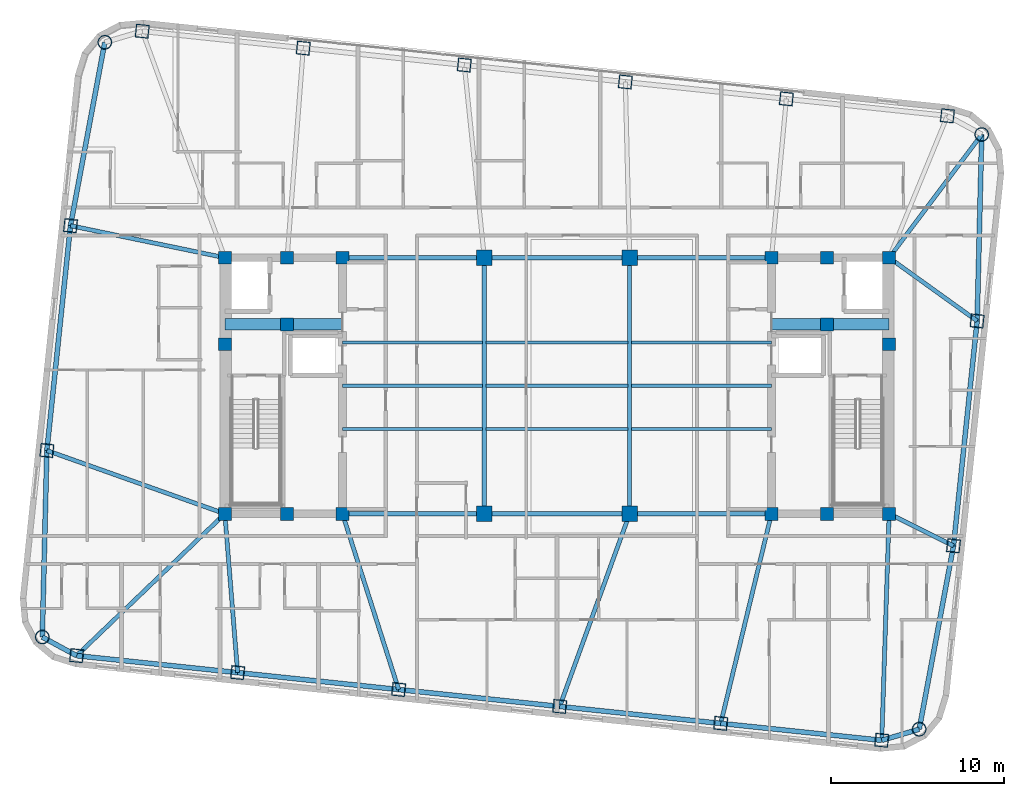
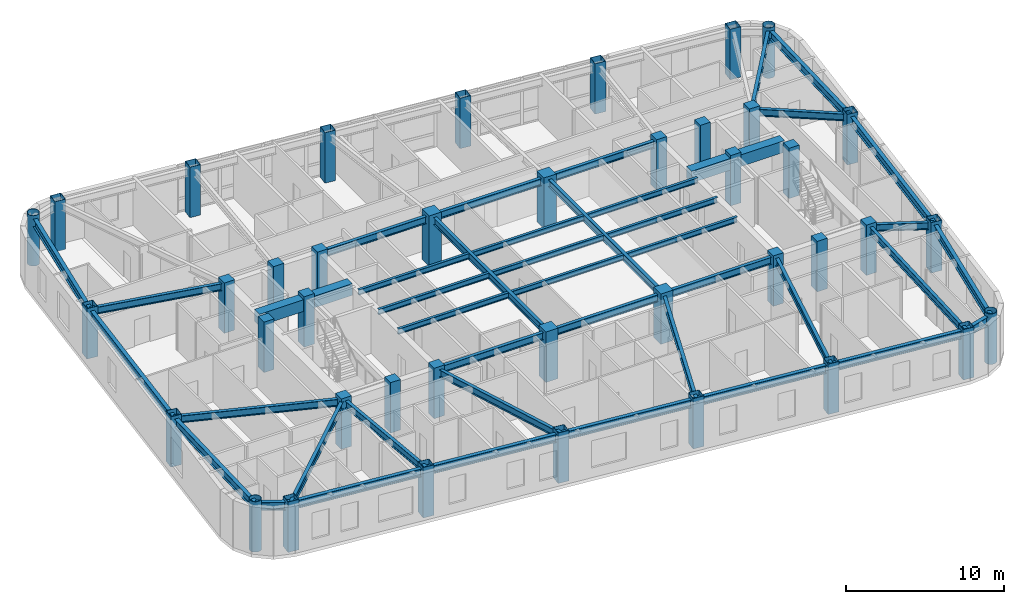
# One storey, part 1 of 16: 43 beams, 40 columns.
"""IFC4 building model written with IfcOpenShell, lengths in metres."""

from ifc_helpers import new_model, si_unit, direction, frame, origin, origin_2d, place, context, subcontext, project, spatial, rectangle, hollow_rectangle, hollow_circle, i_section, extrude, material, material_profile, profile_set, type_object, element, save


model = new_model("IFC4")

# Units and contexts
model_context = context("Model", 3, precision=1e-05, world=origin(), true_north=direction((0.0, 1.0)))
body_context = subcontext(model_context, "Body", "Model", "MODEL_VIEW")
ifc_project = project(units=[si_unit("LENGTHUNIT", "METRE"), si_unit("AREAUNIT", "SQUARE_METRE"), si_unit("VOLUMEUNIT", "CUBIC_METRE"), si_unit("PLANEANGLEUNIT", "RADIAN"), si_unit("MASSUNIT", "GRAM", prefix="KILO")], contexts=[model_context])

# Site, building, storey
site_placement = place(None, origin())
site = spatial("IfcSite", under=ifc_project, at=site_placement, CompositionType="ELEMENT")
building_placement = place(site_placement, origin())
building = spatial("IfcBuilding", under=site, at=building_placement, Name="Voryun Gate Residences", CompositionType="ELEMENT")
storey_placement = place(building_placement, frame((0.0, 0.0, 267.800048828125)))
storey = spatial("IfcBuildingStorey", under=building, at=storey_placement, Name="L66", CompositionType="ELEMENT", Elevation=267.800048828125)

# Columns
ifc_material_1 = material(Name="Concrete C50/60", Category="concrete")
ifc_material_profile_1 = material_profile(ifc_material_1, rectangle(XDim=0.75, YDim=0.75, at=origin_2d()), Name="RC-750x750")
ifc_profile_set_1 = profile_set([ifc_material_profile_1], Name="Concrete C50/60")
column_type_1 = type_object("IfcColumnType", Name="COL_CORE_750", PredefinedType="COLUMN", material=ifc_profile_set_1)
for number, where, z_axis, x_axis, name in (
    (1, (-19.199951171875, -7.39990234375, 0.0), (0.0, 0.0, 1.0), (1.0, 0.0, 0.0), "L66 Core boundary column WC-SW"),
    (2, (-19.199951171875, 2.39990234375, 0.0), (0.0, 0.0, 1.0), (1.0, 0.0, 0.0), "L66 Core boundary column WC-MW"),
    (3, (-19.199951171875, 7.39990234375, 0.0), (0.0, 0.0, 1.0), (1.0, 0.0, 0.0), "L66 Core boundary column WC-NW"),
    (4, (-15.60009765625, -7.39990234375, 0.0), (0.0, 0.0, 1.0), (1.0, 0.0, 0.0), "L66 Core boundary column WC-SM"),
    (5, (-15.60009765625, 7.39990234375, 0.0), (0.0, 0.0, 1.0), (1.0, 0.0, 0.0), "L66 Core boundary column WC-NM"),
    (6, (-12.39990234375, -7.39990234375, 0.0), (0.0, 0.0, 1.0), (1.0, 0.0, 0.0), "L66 Core boundary column WC-SE"),
    (7, (-15.60009765625, 3.550048828125, 0.0), (0.0, 0.0, 1.0), (1.0, 0.0, 0.0), "L66 Core boundary column WC-MM"),
    (8, (-12.39990234375, 7.39990234375, 0.0), (0.0, 0.0, 1.0), (1.0, 0.0, 0.0), "L66 Core boundary column WC-NE"),
    (9, (12.39990234375, -7.39990234375, 0.0), (0.0, 0.0, 1.0), (1.0, 0.0, 0.0), "L66 Core boundary column EC-SW"),
    (10, (15.60009765625, 3.550048828125, 0.0), (0.0, 0.0, 1.0), (1.0, 0.0, 0.0), "L66 Core boundary column EC-MM"),
    (11, (12.39990234375, 7.39990234375, 0.0), (0.0, 0.0, 1.0), (1.0, 0.0, 0.0), "L66 Core boundary column EC-NW"),
    (12, (15.60009765625, -7.39990234375, 0.0), (0.0, 0.0, 1.0), (1.0, 0.0, 0.0), "L66 Core boundary column EC-SM"),
    (13, (15.60009765625, 7.39990234375, 0.0), (0.0, 0.0, 1.0), (1.0, 0.0, 0.0), "L66 Core boundary column EC-NM"),
    (14, (19.199951171875, -7.39990234375, 0.0), (0.0, 0.0, 1.0), (1.0, 0.0, 0.0), "L66 Core boundary column EC-SE"),
    (15, (19.199951171875, 2.39990234375, 0.0), (0.0, 0.0, 1.0), (1.0, 0.0, 0.0), "L66 Core boundary column EC-ME"),
    (16, (19.199951171875, 7.39990234375, 0.0), (0.0, 0.0, 1.0), (1.0, 0.0, 0.0), "L66 Core boundary column EC-NE"),
):
    element("IfcColumn", number, at=place(storey_placement, frame(where, z_axis=z_axis, x_axis=x_axis)), inside=storey, type_object=column_type_1, Name=name, PredefinedType="COLUMN", context=body_context, shape_type="SweptSolid", body=[
        extrude(rectangle(XDim=0.75, YDim=0.75, at=origin_2d()), origin(), (0.0, 0.0, 1.0), 3.89990234375),
    ])
ifc_material_2 = material(Name="Concrete C50/60", Category="concrete")
ifc_material_profile_2 = material_profile(ifc_material_2, rectangle(XDim=0.89990234375, YDim=0.89990234375, at=origin_2d()), Name="RC-900x900")
ifc_profile_set_2 = profile_set([ifc_material_profile_2], Name="Concrete C50/60")
column_type_2 = type_object("IfcColumnType", Name="COL_CORE_900", PredefinedType="COLUMN", material=ifc_profile_set_2)
for number, where, z_axis, x_axis, name in (
    (17, (-4.199951171875, -7.39990234375, 0.0), (0.0, 0.0, 1.0), (1.0, 0.0, 0.0), "L66 Interior spine column SP-WS"),
    (18, (-4.199951171875, 7.39990234375, 0.0), (0.0, 0.0, 1.0), (1.0, 0.0, 0.0), "L66 Interior spine column SP-WN"),
    (19, (4.199951171875, -7.39990234375, 0.0), (0.0, 0.0, 1.0), (1.0, 0.0, 0.0), "L66 Interior spine column SP-ES"),
    (20, (4.199951171875, 7.39990234375, 0.0), (0.0, 0.0, 1.0), (1.0, 0.0, 0.0), "L66 Interior spine column SP-EN"),
):
    element("IfcColumn", number, at=place(storey_placement, frame(where, z_axis=z_axis, x_axis=x_axis)), inside=storey, type_object=column_type_2, Name=name, PredefinedType="COLUMN", context=body_context, shape_type="SweptSolid", body=[
        extrude(rectangle(XDim=0.89990234375, YDim=0.89990234375, at=origin_2d()), origin(), (0.0, 0.0, 1.0), 3.89990234375),
    ])
ifc_material_3 = material(Name="Steel SM355", Category="steel")
ifc_material_profile_3 = material_profile(ifc_material_3, hollow_circle(Radius=0.39990234375, WallThickness=0.028076171875, at=origin_2d()), Name="CHS-800x28")
ifc_profile_set_3 = profile_set([ifc_material_profile_3], Name="Steel SM355")
column_type_3 = type_object("IfcColumnType", Name="COL_CRN_800", PredefinedType="COLUMN", material=ifc_profile_set_3)
for number, where, z_axis, x_axis, name in (
    (21, (20.939453125, -19.855224609375, 0.0), (0.0, 0.0, 1.0), (0.994521895368, -0.104528463268, 0.0), "L66 Exoskeleton column CSE"),
    (22, (24.55322265625, 14.52734375, 0.0), (0.0, 0.0, 1.0), (0.994521895368, -0.104528463268, 0.0), "L66 Exoskeleton column CNE"),
    (23, (-26.139404296875, 19.855224609375, 0.0), (0.0, 0.0, 1.0), (0.994521895368, -0.104528463268, 0.0), "L66 Exoskeleton column CNW"),
    (24, (-29.753173828125, -14.52734375, 0.0), (0.0, 0.0, 1.0), (0.994521895368, -0.104528463268, 0.0), "L66 Exoskeleton column CSW"),
):
    element("IfcColumn", number, at=place(storey_placement, frame(where, z_axis=z_axis, x_axis=x_axis)), inside=storey, type_object=column_type_3, Name=name, PredefinedType="COLUMN", context=body_context, shape_type="SweptSolid", body=[
        extrude(hollow_circle(Radius=0.39990234375, WallThickness=0.028076171875, at=origin_2d()), origin(), (0.0, 0.0, 1.0), 3.89990234375),
    ])
ifc_material_4 = material(Name="Steel SM355", Category="steel")
ifc_material_profile_4 = material_profile(ifc_material_4, hollow_rectangle(XDim=0.75, YDim=0.75, WallThickness=0.02490234375, at=origin_2d()), Name="BOX-750x750x25")
ifc_profile_set_4 = profile_set([ifc_material_profile_4], Name="Steel SM355")
column_type_4 = type_object("IfcColumnType", Name="COL_EXO_B5", PredefinedType="COLUMN", material=ifc_profile_set_4)
for number, where, z_axis, x_axis, name in (
    (25, (-27.76904296875, -15.6044921875, 0.0), (0.0, 0.0, 1.0), (0.994521895368, -0.104528463268, 0.0), "L66 Exoskeleton column S1"),
    (26, (-18.460205078125, -16.5830078125, 0.0), (0.0, 0.0, 1.0), (0.994521895368, -0.104528463268, 0.0), "L66 Exoskeleton column S2"),
    (27, (-9.151611328125, -17.561279296875, 0.0), (0.0, 0.0, 1.0), (0.994521895368, -0.104528463268, 0.0), "L66 Exoskeleton column S3"),
    (28, (0.1572265625, -18.539794921875, 0.0), (0.0, 0.0, 1.0), (0.994521895368, -0.104528463268, 0.0), "L66 Exoskeleton column S4"),
    (29, (9.4658203125, -19.51806640625, 0.0), (0.0, 0.0, 1.0), (0.994521895368, -0.104528463268, 0.0), "L66 Exoskeleton column S5"),
    (30, (18.774658203125, -20.49658203125, 0.0), (0.0, 0.0, 1.0), (0.994521895368, -0.104528463268, 0.0), "L66 Exoskeleton column S6"),
    (31, (22.922607421875, -9.25244140625, 0.0), (0.0, 0.0, 1.0), (0.994521895368, -0.104528463268, 0.0), "L66 Exoskeleton column E1"),
    (32, (24.28857421875, 3.743896484375, 0.0), (0.0, 0.0, 1.0), (0.994521895368, -0.104528463268, 0.0), "L66 Exoskeleton column E2"),
    (33, (22.569091796875, 15.6044921875, 0.0), (0.0, 0.0, 1.0), (0.994521895368, -0.104528463268, 0.0), "L66 Exoskeleton column N1"),
    (34, (13.26025390625, 16.5830078125, 0.0), (0.0, 0.0, 1.0), (0.994521895368, -0.104528463268, 0.0), "L66 Exoskeleton column N2"),
    (35, (3.95166015625, 17.561279296875, 0.0), (0.0, 0.0, 1.0), (0.994521895368, -0.104528463268, 0.0), "L66 Exoskeleton column N3"),
    (36, (-5.357177734375, 18.539794921875, 0.0), (0.0, 0.0, 1.0), (0.994521895368, -0.104528463268, 0.0), "L66 Exoskeleton column N4"),
    (37, (-14.666015625, 19.51806640625, 0.0), (0.0, 0.0, 1.0), (0.994521895368, -0.104528463268, 0.0), "L66 Exoskeleton column N5"),
    (38, (-23.974609375, 20.49658203125, 0.0), (0.0, 0.0, 1.0), (0.994521895368, -0.104528463268, 0.0), "L66 Exoskeleton column N6"),
    (39, (-28.12255859375, 9.25244140625, 0.0), (0.0, 0.0, 1.0), (0.994521895368, -0.104528463268, 0.0), "L66 Exoskeleton column W1"),
    (40, (-29.488525390625, -3.743896484375, 0.0), (0.0, 0.0, 1.0), (0.994521895368, -0.104528463268, 0.0), "L66 Exoskeleton column W2"),
):
    element("IfcColumn", number, at=place(storey_placement, frame(where, z_axis=z_axis, x_axis=x_axis)), inside=storey, type_object=column_type_4, Name=name, PredefinedType="COLUMN", context=body_context, shape_type="SweptSolid", body=[
        extrude(hollow_rectangle(XDim=0.75, YDim=0.75, WallThickness=0.02490234375, at=origin_2d()), origin(), (0.0, 0.0, 1.0), 3.89990234375),
    ])

# Beams
ifc_material_5 = material(Name="Concrete C60/75", Category="concrete")
ifc_material_profile_5 = material_profile(ifc_material_5, rectangle(XDim=0.64990234375, YDim=0.89990234375, at=origin_2d()), Name="RC-650x900")
ifc_profile_set_5 = profile_set([ifc_material_profile_5], Name="Concrete C60/75")
beam_type_1 = type_object("IfcBeamType", Name="BM_COUP_RC900", PredefinedType="LINTEL", material=ifc_profile_set_5)
for number, where, z_axis, x_axis, name in (
    (41, (-19.199951171875, 3.550048828125, 3.199951171875), (1.0, 0.0, 0.0), (0.0, 1.0, 0.0), "BM-L66-WC1"),
    (42, (12.39990234375, 3.550048828125, 3.199951171875), (1.0, 0.0, 0.0), (0.0, 1.0, 0.0), "BM-L66-EC1"),
):
    element("IfcBeam", number, at=place(storey_placement, frame(where, z_axis=z_axis, x_axis=x_axis)), inside=storey, type_object=beam_type_1, Name=name, PredefinedType="LINTEL", context=body_context, shape_type="SweptSolid", body=[
        extrude(rectangle(XDim=0.64990234375, YDim=0.89990234375, at=origin_2d()), origin(), (0.0, 0.0, 1.0), 6.800048828125),
    ])
ifc_material_6 = material(Name="Steel SM355", Category="steel")
ifc_material_profile_6 = material_profile(ifc_material_6, i_section(OverallWidth=0.280029296875, OverallDepth=0.6201171875, WebThickness=0.013916015625, FlangeThickness=0.02197265625, FilletRadius=0.01806640625, at=origin_2d()), Name="H-620x280x14x22")
ifc_profile_set_6 = profile_set([ifc_material_profile_6], Name="Steel SM355")
beam_type_2 = type_object("IfcBeamType", Name="BM_EXO_SPANDREL_H", PredefinedType="SPANDREL", material=ifc_profile_set_6)
beam_1_placement = place(storey_placement, frame((-27.76904296875, -15.6044921875, 3.33984375), z_axis=(0.994520592114, -0.104540862157, 0.0), x_axis=(0.104540862157, 0.994520592114, 0.0)))
element("IfcBeam", 43, at=beam_1_placement, inside=storey, type_object=beam_type_2, Name="BM-L66-SPAND-01", PredefinedType="SPANDREL", context=body_context, shape_type="SweptSolid", body=[
    extrude(i_section(OverallWidth=0.280029296875, OverallDepth=0.6201171875, WebThickness=0.013916015625, FlangeThickness=0.02197265625, FilletRadius=0.01806640625, at=origin_2d()), origin(), (0.0, 0.0, 1.0), 9.360107421875),
])
beam_2_placement = place(storey_placement, frame((-18.460205078125, -16.5830078125, 3.33984375), z_axis=(0.994523018663, -0.104517775278, 0.0), x_axis=(0.104517775278, 0.994523018663, 0.0)))
element("IfcBeam", 44, at=beam_2_placement, inside=storey, type_object=beam_type_2, Name="BM-L66-SPAND-02", PredefinedType="SPANDREL", context=body_context, shape_type="SweptSolid", body=[
    extrude(i_section(OverallWidth=0.280029296875, OverallDepth=0.6201171875, WebThickness=0.013916015625, FlangeThickness=0.02197265625, FilletRadius=0.01806640625, at=origin_2d()), origin(), (0.0, 0.0, 1.0), 9.35986328125),
])
beam_3_placement = place(storey_placement, frame((-9.151611328125, -17.561279296875, 3.33984375), z_axis=(0.994520592114, -0.104540862157, 0.0), x_axis=(0.104540862157, 0.994520592114, 0.0)))
element("IfcBeam", 45, at=beam_3_placement, inside=storey, type_object=beam_type_2, Name="BM-L66-SPAND-03", PredefinedType="SPANDREL", context=body_context, shape_type="SweptSolid", body=[
    extrude(i_section(OverallWidth=0.280029296875, OverallDepth=0.6201171875, WebThickness=0.013916015625, FlangeThickness=0.02197265625, FilletRadius=0.01806640625, at=origin_2d()), origin(), (0.0, 0.0, 1.0), 9.360107421875),
])
beam_4_placement = place(storey_placement, frame((0.1572265625, -18.539794921875, 3.33984375), z_axis=(0.994523018663, -0.104517775278, 0.0), x_axis=(0.104517775278, 0.994523018663, 0.0)))
element("IfcBeam", 46, at=beam_4_placement, inside=storey, type_object=beam_type_2, Name="BM-L66-SPAND-04", PredefinedType="SPANDREL", context=body_context, shape_type="SweptSolid", body=[
    extrude(i_section(OverallWidth=0.280029296875, OverallDepth=0.6201171875, WebThickness=0.013916015625, FlangeThickness=0.02197265625, FilletRadius=0.01806640625, at=origin_2d()), origin(), (0.0, 0.0, 1.0), 9.35986328125),
])
beam_5_placement = place(storey_placement, frame((9.4658203125, -19.51806640625, 3.33984375), z_axis=(0.994520592114, -0.104540862157, 0.0), x_axis=(0.104540862157, 0.994520592114, 0.0)))
element("IfcBeam", 47, at=beam_5_placement, inside=storey, type_object=beam_type_2, Name="BM-L66-SPAND-05", PredefinedType="SPANDREL", context=body_context, shape_type="SweptSolid", body=[
    extrude(i_section(OverallWidth=0.280029296875, OverallDepth=0.6201171875, WebThickness=0.013916015625, FlangeThickness=0.02197265625, FilletRadius=0.01806640625, at=origin_2d()), origin(), (0.0, 0.0, 1.0), 9.360107421875),
])
beam_6_placement = place(storey_placement, frame((18.774658203125, -20.49658203125, 3.33984375), z_axis=(0.958805748412, 0.28406255792, 0.0), x_axis=(-0.28406255792, 0.958805748412, 0.0)))
element("IfcBeam", 48, at=beam_6_placement, inside=storey, type_object=beam_type_2, Name="BM-L66-SPAND-06", PredefinedType="SPANDREL", context=body_context, shape_type="SweptSolid", body=[
    extrude(i_section(OverallWidth=0.280029296875, OverallDepth=0.6201171875, WebThickness=0.013916015625, FlangeThickness=0.02197265625, FilletRadius=0.01806640625, at=origin_2d()), origin(), (0.0, 0.0, 1.0), 2.2578125),
])
beam_7_placement = place(storey_placement, frame((20.939453125, -19.855224609375, 3.33984375), z_axis=(0.183852585596, 0.982953827384, 0.0), x_axis=(-0.982953827384, 0.183852585596, 0.0)))
element("IfcBeam", 49, at=beam_7_placement, inside=storey, type_object=beam_type_2, Name="BM-L66-SPAND-07", PredefinedType="SPANDREL", context=body_context, shape_type="SweptSolid", body=[
    extrude(i_section(OverallWidth=0.280029296875, OverallDepth=0.6201171875, WebThickness=0.013916015625, FlangeThickness=0.02197265625, FilletRadius=0.01806640625, at=origin_2d()), origin(), (0.0, 0.0, 1.0), 10.78662109375),
])
beam_8_placement = place(storey_placement, frame((22.922607421875, -9.25244140625, 3.33984375), z_axis=(0.104528209082, 0.994521922084, 0.0), x_axis=(-0.994521922084, 0.104528209082, 0.0)))
element("IfcBeam", 50, at=beam_8_placement, inside=storey, type_object=beam_type_2, Name="BM-L66-SPAND-08", PredefinedType="SPANDREL", context=body_context, shape_type="SweptSolid", body=[
    extrude(i_section(OverallWidth=0.280029296875, OverallDepth=0.6201171875, WebThickness=0.013916015625, FlangeThickness=0.02197265625, FilletRadius=0.01806640625, at=origin_2d()), origin(), (0.0, 0.0, 1.0), 13.06787109375),
])
for number, where, z_axis, x_axis, name in (
    (51, (24.28857421875, 3.743896484375, 3.33984375), (0.024534711967, 0.999698978647, 0.0), (-0.999698978647, 0.024534711967, 0.0), "BM-L66-SPAND-09"),
    (52, (-26.139404296875, 19.855224609375, 3.33984375), (-0.183852585596, -0.982953827384, 0.0), (0.982953827384, -0.183852585596, 0.0), "BM-L66-SPAND-17"),
):
    element("IfcBeam", number, at=place(storey_placement, frame(where, z_axis=z_axis, x_axis=x_axis)), inside=storey, type_object=beam_type_2, Name=name, PredefinedType="SPANDREL", context=body_context, shape_type="SweptSolid", body=[
        extrude(i_section(OverallWidth=0.280029296875, OverallDepth=0.6201171875, WebThickness=0.013916015625, FlangeThickness=0.02197265625, FilletRadius=0.01806640625, at=origin_2d()), origin(), (0.0, 0.0, 1.0), 10.78662109375),
    ])
beam_9_placement = place(storey_placement, frame((-28.12255859375, 9.25244140625, 3.33984375), z_axis=(-0.104528209082, -0.994521922084, 0.0), x_axis=(0.994521922084, -0.104528209082, 0.0)))
element("IfcBeam", 53, at=beam_9_placement, inside=storey, type_object=beam_type_2, Name="BM-L66-SPAND-18", PredefinedType="SPANDREL", context=body_context, shape_type="SweptSolid", body=[
    extrude(i_section(OverallWidth=0.280029296875, OverallDepth=0.6201171875, WebThickness=0.013916015625, FlangeThickness=0.02197265625, FilletRadius=0.01806640625, at=origin_2d()), origin(), (0.0, 0.0, 1.0), 13.06787109375),
])
beam_10_placement = place(storey_placement, frame((-29.488525390625, -3.743896484375, 3.33984375), z_axis=(-0.024534711967, -0.999698978647, 0.0), x_axis=(0.999698978647, -0.024534711967, 0.0)))
element("IfcBeam", 54, at=beam_10_placement, inside=storey, type_object=beam_type_2, Name="BM-L66-SPAND-19", PredefinedType="SPANDREL", context=body_context, shape_type="SweptSolid", body=[
    extrude(i_section(OverallWidth=0.280029296875, OverallDepth=0.6201171875, WebThickness=0.013916015625, FlangeThickness=0.02197265625, FilletRadius=0.01806640625, at=origin_2d()), origin(), (0.0, 0.0, 1.0), 10.78662109375),
])
beam_11_placement = place(storey_placement, frame((-29.753173828125, -14.52734375, 3.33984375), z_axis=(0.878844363117, -0.477108567746, 0.0), x_axis=(0.477108567746, 0.878844363117, 0.0)))
element("IfcBeam", 55, at=beam_11_placement, inside=storey, type_object=beam_type_2, Name="BM-L66-SPAND-20", PredefinedType="SPANDREL", context=body_context, shape_type="SweptSolid", body=[
    extrude(i_section(OverallWidth=0.280029296875, OverallDepth=0.6201171875, WebThickness=0.013916015625, FlangeThickness=0.02197265625, FilletRadius=0.01806640625, at=origin_2d()), origin(), (0.0, 0.0, 1.0), 2.257568359375),
])
ifc_material_7 = material(Name="Steel SM355", Category="steel")
ifc_material_profile_7 = material_profile(ifc_material_7, i_section(OverallWidth=0.239990234375, OverallDepth=0.550048828125, WebThickness=0.011962890625, FlangeThickness=0.02001953125, FilletRadius=0.01806640625, at=origin_2d()), Name="H-550x240x12x20")
ifc_profile_set_7 = profile_set([ifc_material_profile_7], Name="Steel SM355")
beam_type_3 = type_object("IfcBeamType", Name="BM_GIRD_550", PredefinedType="USERDEFINED", material=ifc_profile_set_7)
beam_12_placement = place(storey_placement, frame((-12.39990234375, -7.39990234375, 3.375), z_axis=(1.0, 0.0, 0.0), x_axis=(0.0, 1.0, 0.0)))
element("IfcBeam", 56, at=beam_12_placement, inside=storey, type_object=beam_type_3, Name="BM-L66-SPG1-S", ObjectType="GIRDER", PredefinedType="USERDEFINED", context=body_context, shape_type="SweptSolid", body=[
    extrude(i_section(OverallWidth=0.239990234375, OverallDepth=0.550048828125, WebThickness=0.011962890625, FlangeThickness=0.02001953125, FilletRadius=0.01806640625, at=origin_2d()), origin(), (0.0, 0.0, 1.0), 8.199951171875),
])
beam_13_placement = place(storey_placement, frame((-4.199951171875, -7.39990234375, 3.375), z_axis=(1.0, 0.0, 0.0), x_axis=(0.0, 1.0, 0.0)))
element("IfcBeam", 57, at=beam_13_placement, inside=storey, type_object=beam_type_3, Name="BM-L66-SPG2-S", ObjectType="GIRDER", PredefinedType="USERDEFINED", context=body_context, shape_type="SweptSolid", body=[
    extrude(i_section(OverallWidth=0.239990234375, OverallDepth=0.550048828125, WebThickness=0.011962890625, FlangeThickness=0.02001953125, FilletRadius=0.01806640625, at=origin_2d()), origin(), (0.0, 0.0, 1.0), 8.39990234375),
])
for number, where, z_axis, x_axis, name in (
    (58, (4.199951171875, -7.39990234375, 3.375), (1.0, 0.0, 0.0), (0.0, 1.0, 0.0), "BM-L66-SPG3-S"),
    (59, (-12.39990234375, 7.39990234375, 3.375), (1.0, 0.0, 0.0), (0.0, 1.0, 0.0), "BM-L66-SPG1-N"),
):
    element("IfcBeam", number, at=place(storey_placement, frame(where, z_axis=z_axis, x_axis=x_axis)), inside=storey, type_object=beam_type_3, Name=name, ObjectType="GIRDER", PredefinedType="USERDEFINED", context=body_context, shape_type="SweptSolid", body=[
        extrude(i_section(OverallWidth=0.239990234375, OverallDepth=0.550048828125, WebThickness=0.011962890625, FlangeThickness=0.02001953125, FilletRadius=0.01806640625, at=origin_2d()), origin(), (0.0, 0.0, 1.0), 8.199951171875),
    ])
beam_14_placement = place(storey_placement, frame((-4.199951171875, 7.39990234375, 3.375), z_axis=(1.0, 0.0, 0.0), x_axis=(0.0, 1.0, 0.0)))
element("IfcBeam", 60, at=beam_14_placement, inside=storey, type_object=beam_type_3, Name="BM-L66-SPG2-N", ObjectType="GIRDER", PredefinedType="USERDEFINED", context=body_context, shape_type="SweptSolid", body=[
    extrude(i_section(OverallWidth=0.239990234375, OverallDepth=0.550048828125, WebThickness=0.011962890625, FlangeThickness=0.02001953125, FilletRadius=0.01806640625, at=origin_2d()), origin(), (0.0, 0.0, 1.0), 8.39990234375),
])
beam_15_placement = place(storey_placement, frame((4.199951171875, 7.39990234375, 3.375), z_axis=(1.0, 0.0, 0.0), x_axis=(0.0, 1.0, 0.0)))
element("IfcBeam", 61, at=beam_15_placement, inside=storey, type_object=beam_type_3, Name="BM-L66-SPG3-N", ObjectType="GIRDER", PredefinedType="USERDEFINED", context=body_context, shape_type="SweptSolid", body=[
    extrude(i_section(OverallWidth=0.239990234375, OverallDepth=0.550048828125, WebThickness=0.011962890625, FlangeThickness=0.02001953125, FilletRadius=0.01806640625, at=origin_2d()), origin(), (0.0, 0.0, 1.0), 8.199951171875),
])
for number, where, z_axis, x_axis, name in (
    (62, (-4.199951171875, -7.39990234375, 3.375), (0.0, 1.0, 0.0), (-1.0, 0.0, 0.0), "BM-L66-SPX-W"),
    (63, (4.199951171875, -7.39990234375, 3.375), (0.0, 1.0, 0.0), (-1.0, 0.0, 0.0), "BM-L66-SPX-E"),
):
    element("IfcBeam", number, at=place(storey_placement, frame(where, z_axis=z_axis, x_axis=x_axis)), inside=storey, type_object=beam_type_3, Name=name, ObjectType="GIRDER", PredefinedType="USERDEFINED", context=body_context, shape_type="SweptSolid", body=[
        extrude(i_section(OverallWidth=0.239990234375, OverallDepth=0.550048828125, WebThickness=0.011962890625, FlangeThickness=0.02001953125, FilletRadius=0.01806640625, at=origin_2d()), origin(), (0.0, 0.0, 1.0), 14.7998046875),
    ])
beam_16_placement = place(storey_placement, frame((-19.199951171875, -7.39990234375, 3.375), z_axis=(-0.722302104769, -0.691577666966, 0.0), x_axis=(0.691577666966, -0.722302104769, 0.0)))
element("IfcBeam", 64, at=beam_16_placement, inside=storey, type_object=beam_type_3, Name="BM-L66-RAD-S1", ObjectType="GIRDER", PredefinedType="USERDEFINED", context=body_context, shape_type="SweptSolid", body=[
    extrude(i_section(OverallWidth=0.239990234375, OverallDepth=0.550048828125, WebThickness=0.011962890625, FlangeThickness=0.02001953125, FilletRadius=0.01806640625, at=origin_2d()), origin(), (0.0, 0.0, 1.0), 11.863525390625),
])
beam_17_placement = place(storey_placement, frame((-19.199951171875, -7.39990234375, 3.375), z_axis=(0.080295011504, -0.996771142804, 0.0), x_axis=(0.996771142804, 0.080295011504, 0.0)))
element("IfcBeam", 65, at=beam_17_placement, inside=storey, type_object=beam_type_3, Name="BM-L66-RAD-S2", ObjectType="GIRDER", PredefinedType="USERDEFINED", context=body_context, shape_type="SweptSolid", body=[
    extrude(i_section(OverallWidth=0.239990234375, OverallDepth=0.550048828125, WebThickness=0.011962890625, FlangeThickness=0.02001953125, FilletRadius=0.01806640625, at=origin_2d()), origin(), (0.0, 0.0, 1.0), 9.212890625),
])
beam_18_placement = place(storey_placement, frame((-12.39990234375, -7.39990234375, 3.375), z_axis=(0.30449089095, -0.952515247819, 0.0), x_axis=(0.952515247819, 0.30449089095, 0.0)))
element("IfcBeam", 66, at=beam_18_placement, inside=storey, type_object=beam_type_3, Name="BM-L66-RAD-S3", ObjectType="GIRDER", PredefinedType="USERDEFINED", context=body_context, shape_type="SweptSolid", body=[
    extrude(i_section(OverallWidth=0.239990234375, OverallDepth=0.550048828125, WebThickness=0.011962890625, FlangeThickness=0.02001953125, FilletRadius=0.01806640625, at=origin_2d()), origin(), (0.0, 0.0, 1.0), 10.66796875),
])
beam_19_placement = place(storey_placement, frame((4.199951171875, -7.39990234375, 3.375), z_axis=(-0.341135931896, -0.940013976476, 0.0), x_axis=(0.940013976476, -0.341135931896, 0.0)))
element("IfcBeam", 67, at=beam_19_placement, inside=storey, type_object=beam_type_3, Name="BM-L66-RAD-S4", ObjectType="GIRDER", PredefinedType="USERDEFINED", context=body_context, shape_type="SweptSolid", body=[
    extrude(i_section(OverallWidth=0.239990234375, OverallDepth=0.550048828125, WebThickness=0.011962890625, FlangeThickness=0.02001953125, FilletRadius=0.01806640625, at=origin_2d()), origin(), (0.0, 0.0, 1.0), 11.850830078125),
])
beam_20_placement = place(storey_placement, frame((12.39990234375, -7.39990234375, 3.375), z_axis=(-0.235323166357, -0.971917181336, 0.0), x_axis=(0.971917181336, -0.235323166357, 0.0)))
element("IfcBeam", 68, at=beam_20_placement, inside=storey, type_object=beam_type_3, Name="BM-L66-RAD-S5", ObjectType="GIRDER", PredefinedType="USERDEFINED", context=body_context, shape_type="SweptSolid", body=[
    extrude(i_section(OverallWidth=0.239990234375, OverallDepth=0.550048828125, WebThickness=0.011962890625, FlangeThickness=0.02001953125, FilletRadius=0.01806640625, at=origin_2d()), origin(), (0.0, 0.0, 1.0), 12.46826171875),
])
beam_21_placement = place(storey_placement, frame((19.199951171875, -7.39990234375, 3.375), z_axis=(-0.032456234446, -0.999473157641, 0.0), x_axis=(0.999473157641, -0.032456234446, 0.0)))
element("IfcBeam", 69, at=beam_21_placement, inside=storey, type_object=beam_type_3, Name="BM-L66-RAD-S6", ObjectType="GIRDER", PredefinedType="USERDEFINED", context=body_context, shape_type="SweptSolid", body=[
    extrude(i_section(OverallWidth=0.239990234375, OverallDepth=0.550048828125, WebThickness=0.011962890625, FlangeThickness=0.02001953125, FilletRadius=0.01806640625, at=origin_2d()), origin(), (0.0, 0.0, 1.0), 13.103515625),
])
beam_22_placement = place(storey_placement, frame((19.199951171875, -7.39990234375, 3.375), z_axis=(0.895271074172, -0.445521833081, 0.0), x_axis=(0.445521833081, 0.895271074172, 0.0)))
element("IfcBeam", 70, at=beam_22_placement, inside=storey, type_object=beam_type_3, Name="BM-L66-RAD-E1", ObjectType="GIRDER", PredefinedType="USERDEFINED", context=body_context, shape_type="SweptSolid", body=[
    extrude(i_section(OverallWidth=0.239990234375, OverallDepth=0.550048828125, WebThickness=0.011962890625, FlangeThickness=0.02001953125, FilletRadius=0.01806640625, at=origin_2d()), origin(), (0.0, 0.0, 1.0), 4.158203125),
])
beam_23_placement = place(storey_placement, frame((19.199951171875, 7.39990234375, 3.375), z_axis=(0.81212442094, -0.583484297058, 0.0), x_axis=(0.583484297058, 0.81212442094, 0.0)))
element("IfcBeam", 71, at=beam_23_placement, inside=storey, type_object=beam_type_3, Name="BM-L66-RAD-E2", ObjectType="GIRDER", PredefinedType="USERDEFINED", context=body_context, shape_type="SweptSolid", body=[
    extrude(i_section(OverallWidth=0.239990234375, OverallDepth=0.550048828125, WebThickness=0.011962890625, FlangeThickness=0.02001953125, FilletRadius=0.01806640625, at=origin_2d()), origin(), (0.0, 0.0, 1.0), 6.265869140625),
])
beam_24_placement = place(storey_placement, frame((19.199951171875, 7.39990234375, 3.375), z_axis=(0.60055201327, 0.799585692316, 0.0), x_axis=(-0.799585692316, 0.60055201327, 0.0)))
element("IfcBeam", 72, at=beam_24_placement, inside=storey, type_object=beam_type_3, Name="BM-L66-RAD-CNE", ObjectType="GIRDER", PredefinedType="USERDEFINED", context=body_context, shape_type="SweptSolid", body=[
    extrude(i_section(OverallWidth=0.239990234375, OverallDepth=0.550048828125, WebThickness=0.011962890625, FlangeThickness=0.02001953125, FilletRadius=0.01806640625, at=origin_2d()), origin(), (0.0, 0.0, 1.0), 8.913818359375),
])
beam_25_placement = place(storey_placement, frame((-19.199951171875, 7.39990234375, 3.375), z_axis=(-0.979119049711, 0.203287693907, 0.0), x_axis=(-0.203287693907, -0.979119049711, 0.0)))
element("IfcBeam", 73, at=beam_25_placement, inside=storey, type_object=beam_type_3, Name="BM-L66-RAD-W1", ObjectType="GIRDER", PredefinedType="USERDEFINED", context=body_context, shape_type="SweptSolid", body=[
    extrude(i_section(OverallWidth=0.239990234375, OverallDepth=0.550048828125, WebThickness=0.011962890625, FlangeThickness=0.02001953125, FilletRadius=0.01806640625, at=origin_2d()), origin(), (0.0, 0.0, 1.0), 9.11279296875),
])
beam_26_placement = place(storey_placement, frame((-19.199951171875, -7.39990234375, 3.375), z_axis=(-0.942276939669, 0.334834539688, 0.0), x_axis=(-0.334834539688, -0.942276939669, 0.0)))
element("IfcBeam", 74, at=beam_26_placement, inside=storey, type_object=beam_type_3, Name="BM-L66-RAD-W2", ObjectType="GIRDER", PredefinedType="USERDEFINED", context=body_context, shape_type="SweptSolid", body=[
    extrude(i_section(OverallWidth=0.239990234375, OverallDepth=0.550048828125, WebThickness=0.011962890625, FlangeThickness=0.02001953125, FilletRadius=0.01806640625, at=origin_2d()), origin(), (0.0, 0.0, 1.0), 10.9189453125),
])
ifc_material_8 = material(Name="Steel SM355", Category="steel")
ifc_material_profile_8 = material_profile(ifc_material_8, i_section(OverallWidth=0.18994140625, OverallDepth=0.419921875, WebThickness=0.009033203125, FlangeThickness=0.01611328125, FilletRadius=0.01806640625, at=origin_2d()), Name="H-420x190x9x16")
ifc_profile_set_8 = profile_set([ifc_material_profile_8], Name="Steel SM355")
beam_type_4 = type_object("IfcBeamType", Name="BM_SEC_420", PredefinedType="BEAM", material=ifc_profile_set_8)
beam_27_placement = place(storey_placement, frame((-12.39990234375, -2.5, 3.43994140625), z_axis=(1.0, 0.0, 0.0), x_axis=(0.0, 1.0, 0.0)))
element("IfcBeam", 75, at=beam_27_placement, inside=storey, type_object=beam_type_4, Name="BM-L66-SEC-CS1", PredefinedType="BEAM", context=body_context, shape_type="SweptSolid", body=[
    extrude(i_section(OverallWidth=0.18994140625, OverallDepth=0.419921875, WebThickness=0.009033203125, FlangeThickness=0.01611328125, FilletRadius=0.01806640625, at=origin_2d()), origin(), (0.0, 0.0, 1.0), 8.099853515625),
])
beam_28_placement = place(storey_placement, frame((-4.10009765625, -2.5, 3.43994140625), z_axis=(1.0, 0.0, 0.0), x_axis=(0.0, 1.0, 0.0)))
element("IfcBeam", 76, at=beam_28_placement, inside=storey, type_object=beam_type_4, Name="BM-L66-SEC-CS2", PredefinedType="BEAM", context=body_context, shape_type="SweptSolid", body=[
    extrude(i_section(OverallWidth=0.18994140625, OverallDepth=0.419921875, WebThickness=0.009033203125, FlangeThickness=0.01611328125, FilletRadius=0.01806640625, at=origin_2d()), origin(), (0.0, 0.0, 1.0), 8.2001953125),
])
for number, where, z_axis, x_axis, name in (
    (77, (4.300048828125, -2.5, 3.43994140625), (1.0, 0.0, 0.0), (0.0, 1.0, 0.0), "BM-L66-SEC-CS3"),
    (78, (-12.39990234375, 0.0, 3.43994140625), (1.0, 0.0, 0.0), (0.0, 1.0, 0.0), "BM-L66-SEC-CM1"),
):
    element("IfcBeam", number, at=place(storey_placement, frame(where, z_axis=z_axis, x_axis=x_axis)), inside=storey, type_object=beam_type_4, Name=name, PredefinedType="BEAM", context=body_context, shape_type="SweptSolid", body=[
        extrude(i_section(OverallWidth=0.18994140625, OverallDepth=0.419921875, WebThickness=0.009033203125, FlangeThickness=0.01611328125, FilletRadius=0.01806640625, at=origin_2d()), origin(), (0.0, 0.0, 1.0), 8.099853515625),
    ])
beam_29_placement = place(storey_placement, frame((-4.10009765625, 0.0, 3.43994140625), z_axis=(1.0, 0.0, 0.0), x_axis=(0.0, 1.0, 0.0)))
element("IfcBeam", 79, at=beam_29_placement, inside=storey, type_object=beam_type_4, Name="BM-L66-SEC-CM2", PredefinedType="BEAM", context=body_context, shape_type="SweptSolid", body=[
    extrude(i_section(OverallWidth=0.18994140625, OverallDepth=0.419921875, WebThickness=0.009033203125, FlangeThickness=0.01611328125, FilletRadius=0.01806640625, at=origin_2d()), origin(), (0.0, 0.0, 1.0), 8.2001953125),
])
for number, where, z_axis, x_axis, name in (
    (80, (4.300048828125, 0.0, 3.43994140625), (1.0, 0.0, 0.0), (0.0, 1.0, 0.0), "BM-L66-SEC-CM3"),
    (81, (-12.39990234375, 2.5, 3.43994140625), (1.0, 0.0, 0.0), (0.0, 1.0, 0.0), "BM-L66-SEC-CN1"),
):
    element("IfcBeam", number, at=place(storey_placement, frame(where, z_axis=z_axis, x_axis=x_axis)), inside=storey, type_object=beam_type_4, Name=name, PredefinedType="BEAM", context=body_context, shape_type="SweptSolid", body=[
        extrude(i_section(OverallWidth=0.18994140625, OverallDepth=0.419921875, WebThickness=0.009033203125, FlangeThickness=0.01611328125, FilletRadius=0.01806640625, at=origin_2d()), origin(), (0.0, 0.0, 1.0), 8.099853515625),
    ])
beam_30_placement = place(storey_placement, frame((-4.10009765625, 2.5, 3.43994140625), z_axis=(1.0, 0.0, 0.0), x_axis=(0.0, 1.0, 0.0)))
element("IfcBeam", 82, at=beam_30_placement, inside=storey, type_object=beam_type_4, Name="BM-L66-SEC-CN2", PredefinedType="BEAM", context=body_context, shape_type="SweptSolid", body=[
    extrude(i_section(OverallWidth=0.18994140625, OverallDepth=0.419921875, WebThickness=0.009033203125, FlangeThickness=0.01611328125, FilletRadius=0.01806640625, at=origin_2d()), origin(), (0.0, 0.0, 1.0), 8.2001953125),
])
beam_31_placement = place(storey_placement, frame((4.300048828125, 2.5, 3.43994140625), z_axis=(1.0, 0.0, 0.0), x_axis=(0.0, 1.0, 0.0)))
element("IfcBeam", 83, at=beam_31_placement, inside=storey, type_object=beam_type_4, Name="BM-L66-SEC-CN3", PredefinedType="BEAM", context=body_context, shape_type="SweptSolid", body=[
    extrude(i_section(OverallWidth=0.18994140625, OverallDepth=0.419921875, WebThickness=0.009033203125, FlangeThickness=0.01611328125, FilletRadius=0.01806640625, at=origin_2d()), origin(), (0.0, 0.0, 1.0), 8.099853515625),
])

save(model, "model.ifc")
